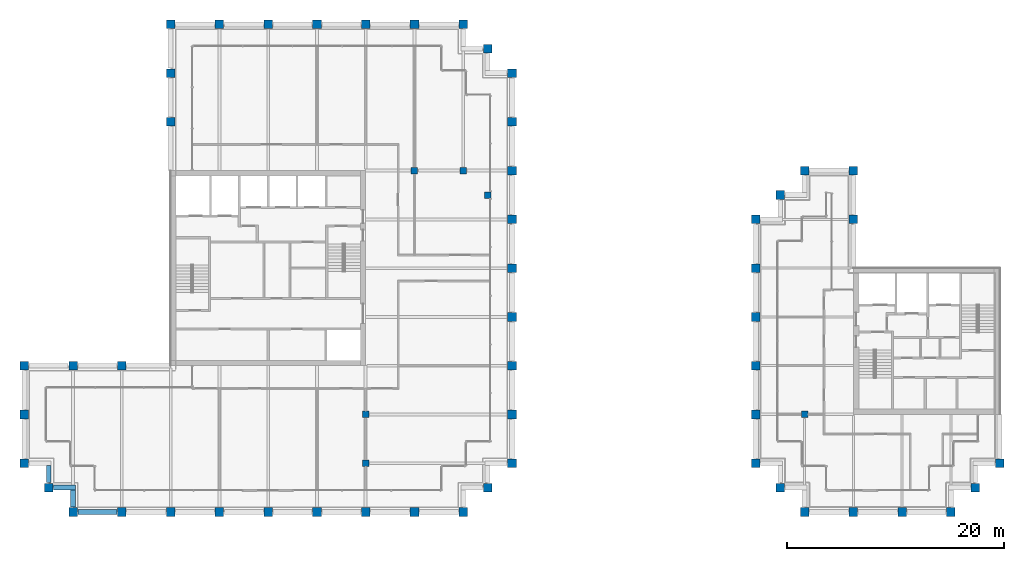
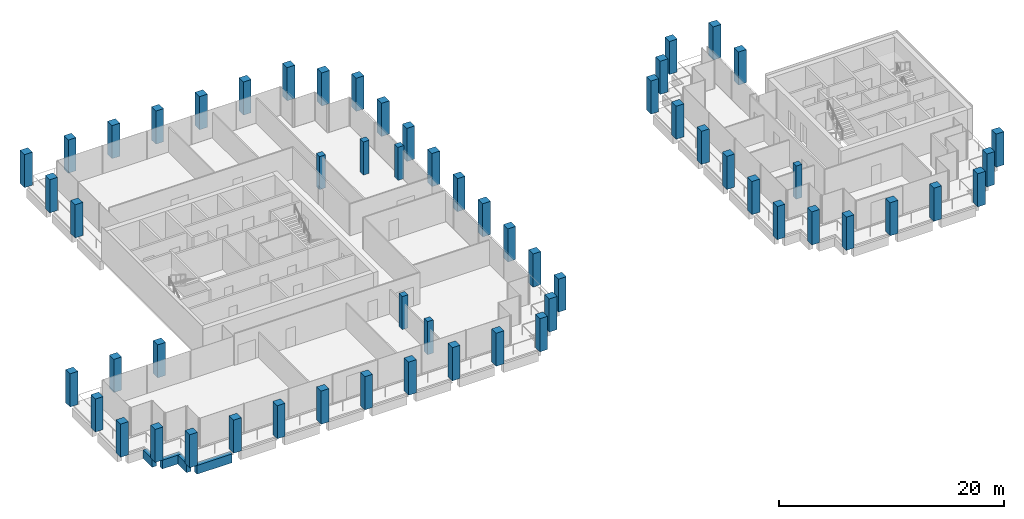
# One storey, part 1 of 40: 58 columns, 4 beams.
"""IFC4 building model written with IfcOpenShell, lengths in metres."""

from ifc_helpers import new_model, si_unit, direction, frame, origin, origin_2d, place, context, subcontext, project, spatial, rectangle, extrude, material, material_profile, profile_set, type_object, element, save


model = new_model("IFC4")

# Units and contexts
model_context = context("Model", 3, precision=1e-05, world=origin(), true_north=direction((0.0, 1.0)))
body_context = subcontext(model_context, "Body", "Model", "MODEL_VIEW")
ifc_project = project(units=[si_unit("LENGTHUNIT", "METRE"), si_unit("AREAUNIT", "SQUARE_METRE"), si_unit("VOLUMEUNIT", "CUBIC_METRE"), si_unit("PLANEANGLEUNIT", "RADIAN"), si_unit("MASSUNIT", "GRAM", prefix="KILO")], contexts=[model_context])

# Site, building, storey
site_placement = place(None, origin())
site = spatial("IfcSite", under=ifc_project, at=site_placement, CompositionType="ELEMENT")
building_placement = place(site_placement, origin())
building = spatial("IfcBuilding", under=site, at=building_placement, Name="Altepetl Exchange Towers", CompositionType="ELEMENT")
storey_placement = place(building_placement, frame((0.0, 0.0, 195.60009765625)))
storey = spatial("IfcBuildingStorey", under=building, at=storey_placement, Name="L49", CompositionType="ELEMENT", Elevation=195.60009765625)

# Columns
ifc_material_1 = material(Name="Concrete C70/85", Category="concrete")
ifc_material_profile_1 = material_profile(ifc_material_1, rectangle(XDim=0.60009765625, YDim=0.60009765625, at=origin_2d()), Name="600 x 600")
ifc_profile_set_1 = profile_set([ifc_material_profile_1], Name="Concrete C70/85")
column_type_1 = type_object("IfcColumnType", Name="Interior column 600", PredefinedType="COLUMN", material=ifc_profile_set_1)
for number, where, name in (
    (1, (58.5, 31.5, 0.0), "col:A:L49:035"),
    (2, (58.5, 36.0, 0.0), "col:A:L49:036"),
    (3, (63.0, 58.5, 0.0), "col:A:L49:037"),
    (4, (67.5, 58.5, 0.0), "col:A:L49:038"),
    (5, (69.75, 56.25, 0.0), "col:A:L49:039"),
    (6, (99.0, 36.0, 0.0), "col:B:L49:017"),
):
    element("IfcColumn", number, at=place(storey_placement, frame(where)), inside=storey, type_object=column_type_1, Name=name, PredefinedType="COLUMN", context=body_context, shape_type="SweptSolid", body=[
        extrude(rectangle(XDim=0.60009765625, YDim=0.60009765625, at=origin_2d()), origin(), (0.0, 0.0, 1.0), 3.599853515625),
    ])
ifc_material_2 = material(Name="Concrete C70/85 precast with cantera amarilla facing", Category="concrete")
ifc_material_profile_2 = material_profile(ifc_material_2, rectangle(XDim=0.800048828125, YDim=0.800048828125, at=origin_2d()), Name="800 x 800")
ifc_profile_set_2 = profile_set([ifc_material_profile_2], Name="Concrete C70/85 precast with cantera amarilla facing")
column_type_2 = type_object("IfcColumnType", Name="Perimeter column 800 cantera amarilla", PredefinedType="COLUMN", material=ifc_profile_set_2)
for number, where, name in (
    (7, (58.5, 27.0, 0.0), "col:A:L49:006"),
    (8, (63.0, 27.0, 0.0), "col:A:L49:007"),
    (9, (67.5, 27.0, 0.0), "col:A:L49:008"),
    (10, (69.75, 29.25, 0.0), "col:A:L49:009"),
    (11, (72.0, 31.5, 0.0), "col:A:L49:010"),
    (12, (72.0, 36.0, 0.0), "col:A:L49:011"),
    (13, (72.0, 40.5, 0.0), "col:A:L49:012"),
    (14, (72.0, 45.0, 0.0), "col:A:L49:013"),
    (15, (72.0, 49.5, 0.0), "col:A:L49:014"),
    (16, (72.0, 54.0, 0.0), "col:A:L49:015"),
):
    element("IfcColumn", number, at=place(storey_placement, frame(where)), inside=storey, type_object=column_type_2, Name=name, PredefinedType="COLUMN", context=body_context, shape_type="SweptSolid", body=[
        extrude(rectangle(XDim=0.800048828125, YDim=0.800048828125, at=origin_2d()), origin(), (0.0, 0.0, 1.0), 3.599853515625),
    ])
ifc_material_3 = material(Name="Concrete C70/85 precast with cantera blanca facing", Category="concrete")
ifc_material_profile_3 = material_profile(ifc_material_3, rectangle(XDim=0.800048828125, YDim=0.800048828125, at=origin_2d()), Name="800 x 800")
ifc_profile_set_3 = profile_set([ifc_material_profile_3], Name="Concrete C70/85 precast with cantera blanca facing")
column_type_3 = type_object("IfcColumnType", Name="Perimeter column 800 cantera blanca", PredefinedType="COLUMN", material=ifc_profile_set_3)
for number, where, name in (
    (17, (31.5, 27.0, 0.0), "col:A:L49:000"),
    (18, (36.0, 27.0, 0.0), "col:A:L49:001"),
    (19, (40.5, 27.0, 0.0), "col:A:L49:002"),
    (20, (45.0, 27.0, 0.0), "col:A:L49:003"),
    (21, (49.5, 27.0, 0.0), "col:A:L49:004"),
    (22, (54.0, 27.0, 0.0), "col:A:L49:005"),
    (23, (27.0, 36.0, 0.0), "col:A:L49:032"),
    (24, (27.0, 31.5, 0.0), "col:A:L49:033"),
    (25, (29.25, 29.25, 0.0), "col:A:L49:034"),
    (26, (117.0, 31.5, 0.0), "col:B:L49:005"),
):
    element("IfcColumn", number, at=place(storey_placement, frame(where)), inside=storey, type_object=column_type_3, Name=name, PredefinedType="COLUMN", context=body_context, shape_type="SweptSolid", body=[
        extrude(rectangle(XDim=0.800048828125, YDim=0.800048828125, at=origin_2d()), origin(), (0.0, 0.0, 1.0), 3.599853515625),
    ])
ifc_material_4 = material(Name="Concrete C70/85 precast with cantera rosa facing", Category="concrete")
ifc_material_profile_4 = material_profile(ifc_material_4, rectangle(XDim=0.800048828125, YDim=0.800048828125, at=origin_2d()), Name="800 x 800")
ifc_profile_set_4 = profile_set([ifc_material_profile_4], Name="Concrete C70/85 precast with cantera rosa facing")
column_type_4 = type_object("IfcColumnType", Name="Perimeter column 800 cantera rosa", PredefinedType="COLUMN", material=ifc_profile_set_4)
for number, where, name in (
    (27, (72.0, 58.5, 0.0), "col:A:L49:016"),
    (28, (72.0, 63.0, 0.0), "col:A:L49:017"),
    (29, (72.0, 67.5, 0.0), "col:A:L49:018"),
    (30, (69.75, 69.75, 0.0), "col:A:L49:019"),
    (31, (67.5, 72.0, 0.0), "col:A:L49:020"),
    (32, (63.0, 72.0, 0.0), "col:A:L49:021"),
    (33, (58.5, 72.0, 0.0), "col:A:L49:022"),
    (34, (54.0, 72.0, 0.0), "col:A:L49:023"),
    (35, (49.5, 72.0, 0.0), "col:A:L49:024"),
    (36, (45.0, 72.0, 0.0), "col:A:L49:025"),
    (37, (103.5, 54.0, 0.0), "col:B:L49:006"),
    (38, (103.5, 58.5, 0.0), "col:B:L49:007"),
    (39, (99.0, 58.5, 0.0), "col:B:L49:008"),
    (40, (96.75, 56.25, 0.0), "col:B:L49:009"),
    (41, (94.5, 54.0, 0.0), "col:B:L49:010"),
    (42, (94.5, 49.5, 0.0), "col:B:L49:011"),
    (43, (94.5, 45.0, 0.0), "col:B:L49:012"),
    (44, (94.5, 40.5, 0.0), "col:B:L49:013"),
    (45, (94.5, 36.0, 0.0), "col:B:L49:014"),
):
    element("IfcColumn", number, at=place(storey_placement, frame(where)), inside=storey, type_object=column_type_4, Name=name, PredefinedType="COLUMN", context=body_context, shape_type="SweptSolid", body=[
        extrude(rectangle(XDim=0.800048828125, YDim=0.800048828125, at=origin_2d()), origin(), (0.0, 0.0, 1.0), 3.599853515625),
    ])
ifc_material_5 = material(Name="Concrete C70/85 precast with tezontle facing", Category="concrete")
ifc_material_profile_5 = material_profile(ifc_material_5, rectangle(XDim=0.800048828125, YDim=0.800048828125, at=origin_2d()), Name="800 x 800")
ifc_profile_set_5 = profile_set([ifc_material_profile_5], Name="Concrete C70/85 precast with tezontle facing")
column_type_5 = type_object("IfcColumnType", Name="Perimeter column 800 tezontle", PredefinedType="COLUMN", material=ifc_profile_set_5)
for number, where, name in (
    (46, (40.5, 72.0, 0.0), "col:A:L49:026"),
    (47, (40.5, 67.5, 0.0), "col:A:L49:027"),
    (48, (40.5, 63.0, 0.0), "col:A:L49:028"),
    (49, (36.0, 40.5, 0.0), "col:A:L49:029"),
    (50, (31.5, 40.5, 0.0), "col:A:L49:030"),
    (51, (27.0, 40.5, 0.0), "col:A:L49:031"),
    (52, (99.0, 27.0, 0.0), "col:B:L49:000"),
    (53, (103.5, 27.0, 0.0), "col:B:L49:001"),
    (54, (108.0, 27.0, 0.0), "col:B:L49:002"),
    (55, (112.5, 27.0, 0.0), "col:B:L49:003"),
    (56, (114.75, 29.25, 0.0), "col:B:L49:004"),
    (57, (94.5, 31.5, 0.0), "col:B:L49:015"),
    (58, (96.75, 29.25, 0.0), "col:B:L49:016"),
):
    element("IfcColumn", number, at=place(storey_placement, frame(where)), inside=storey, type_object=column_type_5, Name=name, PredefinedType="COLUMN", context=body_context, shape_type="SweptSolid", body=[
        extrude(rectangle(XDim=0.800048828125, YDim=0.800048828125, at=origin_2d()), origin(), (0.0, 0.0, 1.0), 3.599853515625),
    ])

# Beams
ifc_material_6 = material(Name="Concrete C50/60 precast with cantera blanca facing", Category="concrete")
ifc_material_profile_6 = material_profile(ifc_material_6, rectangle(XDim=0.449951171875, YDim=0.949951171875, at=origin_2d()), Name="450 x 950")
ifc_profile_set_6 = profile_set([ifc_material_profile_6], Name="Concrete C50/60 precast with cantera blanca facing")
beam_type = type_object("IfcBeamType", Name="Spandrel beam 450x950 cantera blanca", PredefinedType="SPANDREL", material=ifc_profile_set_6)
beam_1_placement = place(storey_placement, frame((31.949951171875, 27.0, -0.625), z_axis=(1.0, 0.0, 0.0), x_axis=(0.0, 1.0, 0.0)))
element("IfcBeam", 59, at=beam_1_placement, inside=storey, type_object=beam_type, Name="sp:A:L49:000", PredefinedType="SPANDREL", context=body_context, shape_type="SweptSolid", body=[
    extrude(rectangle(XDim=0.449951171875, YDim=0.949951171875, at=origin_2d()), origin(), (0.0, 0.0, 1.0), 3.60009765625),
])
beam_2_placement = place(storey_placement, frame((29.25, 31.27490234375, -0.625), z_axis=(0.0, -1.0, 0.0), x_axis=(1.0, 0.0, 0.0)))
element("IfcBeam", 60, at=beam_2_placement, inside=storey, type_object=beam_type, Name="sp:A:L49:039", PredefinedType="SPANDREL", context=body_context, shape_type="SweptSolid", body=[
    extrude(rectangle(XDim=0.449951171875, YDim=0.949951171875, at=origin_2d()), origin(), (0.0, 0.0, 1.0), 1.574951171875),
])
beam_3_placement = place(storey_placement, frame((29.699951171875, 29.25, -0.625), z_axis=(1.0, 0.0, 0.0), x_axis=(0.0, 1.0, 0.0)))
element("IfcBeam", 61, at=beam_3_placement, inside=storey, type_object=beam_type, Name="sp:A:L49:040", PredefinedType="SPANDREL", context=body_context, shape_type="SweptSolid", body=[
    extrude(rectangle(XDim=0.449951171875, YDim=0.949951171875, at=origin_2d()), origin(), (0.0, 0.0, 1.0), 2.025146484375),
])
beam_4_placement = place(storey_placement, frame((31.5, 29.02490234375, -0.625), z_axis=(0.0, -1.0, 0.0), x_axis=(1.0, 0.0, 0.0)))
element("IfcBeam", 62, at=beam_4_placement, inside=storey, type_object=beam_type, Name="sp:A:L49:041", PredefinedType="SPANDREL", context=body_context, shape_type="SweptSolid", body=[
    extrude(rectangle(XDim=0.449951171875, YDim=0.949951171875, at=origin_2d()), origin(), (0.0, 0.0, 1.0), 1.574951171875),
])

save(model, "model.ifc")
